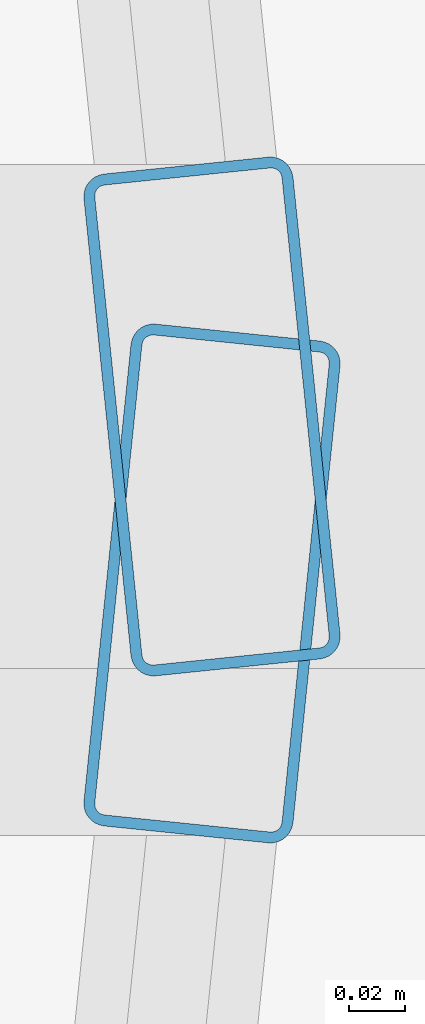
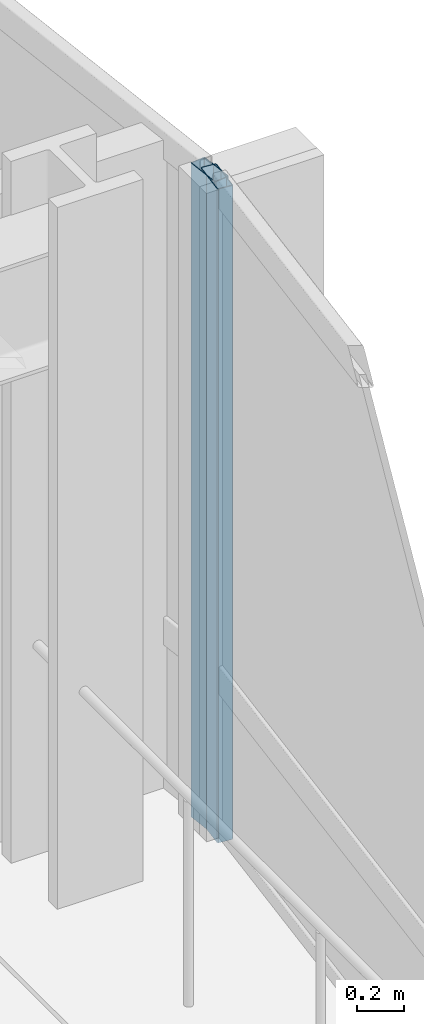
# One storey, part 25 of 34: 2 members, 2 elements without a shape of their own.
"""IFC4 building model written with IfcOpenShell, lengths in metres."""

from ifc_helpers import new_model, si_unit, direction, frame, origin, origin_2d, place, context, subcontext, project, spatial, hollow_rectangle, extrude, material, layer, layer_set, material_profile, profile_set, type_object, element, aggregate, save


model = new_model("IFC4")

# Units and contexts
model_context = context("Model", 3, precision=1e-05, world=origin(), true_north=direction((0.0, 1.0)))
body_context = subcontext(model_context, "Body", "Model", "MODEL_VIEW")
ifc_project = project(units=[si_unit("LENGTHUNIT", "METRE"), si_unit("AREAUNIT", "SQUARE_METRE"), si_unit("VOLUMEUNIT", "CUBIC_METRE"), si_unit("PLANEANGLEUNIT", "RADIAN"), si_unit("MASSUNIT", "GRAM", prefix="KILO")], contexts=[model_context])

# Site, building, storey
site_placement = place(None, origin())
site = spatial("IfcSite", under=ifc_project, at=site_placement, CompositionType="ELEMENT")
building_placement = place(site_placement, origin())
building = spatial("IfcBuilding", under=site, at=building_placement, Name="Solvaryn Broadcast Tower", CompositionType="ELEMENT")
storey_placement = place(building_placement, frame((0.0, 0.0, 89.10009765625)))
storey = spatial("IfcBuildingStorey", under=building, at=storey_placement, Name="L21", CompositionType="ELEMENT", Elevation=89.10009765625)

# Curtain wall, member
ifc_material_1 = material(Name="Aluminium and Terracotta Unitised Curtain Wall", Category="masonry")
ifc_layer = layer(ifc_material_1, 0.199951171875)
ifc_layer_set = layer_set([ifc_layer], Name="CW-SYS2-LOWMID")
curtain_wall_type = type_object("IfcCurtainWallType", Name="CW-SYS2-LOWMID", PredefinedType="NOTDEFINED", material=ifc_layer_set)
curtain_wall_1_placement = place(storey_placement, origin())
curtain_wall_1 = element("IfcCurtainWall", 1, at=curtain_wall_1_placement, inside=storey, type_object=curtain_wall_type, Name="L21 Curtain Wall ET1", PredefinedType="NOTDEFINED")
ifc_material_2 = material(Name="Anodised Aluminium 6063-T6", Category="aluminium")
ifc_material_profile = material_profile(ifc_material_2, hollow_rectangle(XDim=0.074951171875, YDim=0.179931640625, WallThickness=0.00390625, InnerFilletRadius=0.00390625, OuterFilletRadius=0.008056640625, at=origin_2d()))
ifc_profile_set = profile_set([ifc_material_profile], Name="Anodised Aluminium 6063-T6")
member_type = type_object("IfcMemberType", Name="CW-MUL-180", PredefinedType="MULLION", material=ifc_profile_set)
member_1_placement = place(storey_placement, frame((63.697021484375, 18.02978515625, 0.0), z_axis=(0.0, 0.0, 1.0), x_axis=(0.99474329889, 0.10240004548, 0.0)))
member_1 = element("IfcMember", 2, at=member_1_placement, type_object=member_type, Name="CWS2 mullion 2", PredefinedType="MULLION", context=body_context, shape_type="SweptSolid", body=[
    extrude(hollow_rectangle(XDim=0.074951171875, YDim=0.179931640625, WallThickness=0.00390625, InnerFilletRadius=0.00390625, OuterFilletRadius=0.008056640625, at=origin_2d()), origin(), (0.0, 0.0, 1.0), 3.419921875),
])
aggregate(curtain_wall_1, [member_1])

curtain_wall_2_placement = place(storey_placement, origin())
curtain_wall_2 = element("IfcCurtainWall", 3, at=curtain_wall_2_placement, inside=storey, type_object=curtain_wall_type, Name="L21 Curtain Wall ET2", PredefinedType="NOTDEFINED")
member_2_placement = place(storey_placement, frame((63.697021484375, 17.97021484375, 0.0), z_axis=(0.0, 0.0, 1.0), x_axis=(0.99474329889, -0.10240004548, 0.0)))
member_2 = element("IfcMember", 4, at=member_2_placement, type_object=member_type, Name="CWS2 mullion 1", PredefinedType="MULLION", context=body_context, shape_type="SweptSolid", body=[
    extrude(hollow_rectangle(XDim=0.074951171875, YDim=0.179931640625, WallThickness=0.00390625, InnerFilletRadius=0.00390625, OuterFilletRadius=0.008056640625, at=origin_2d()), origin(), (0.0, 0.0, 1.0), 3.419921875),
])
aggregate(curtain_wall_2, [member_2])

save(model, "model.ifc")
